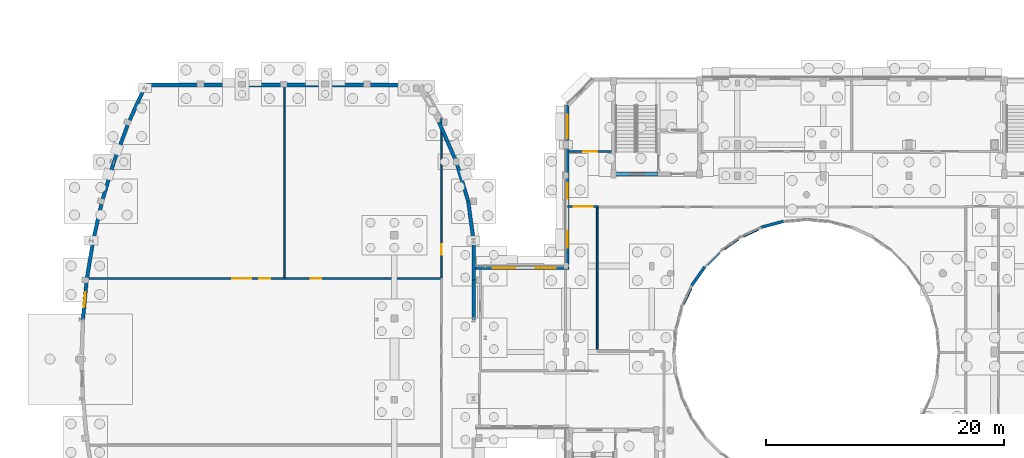
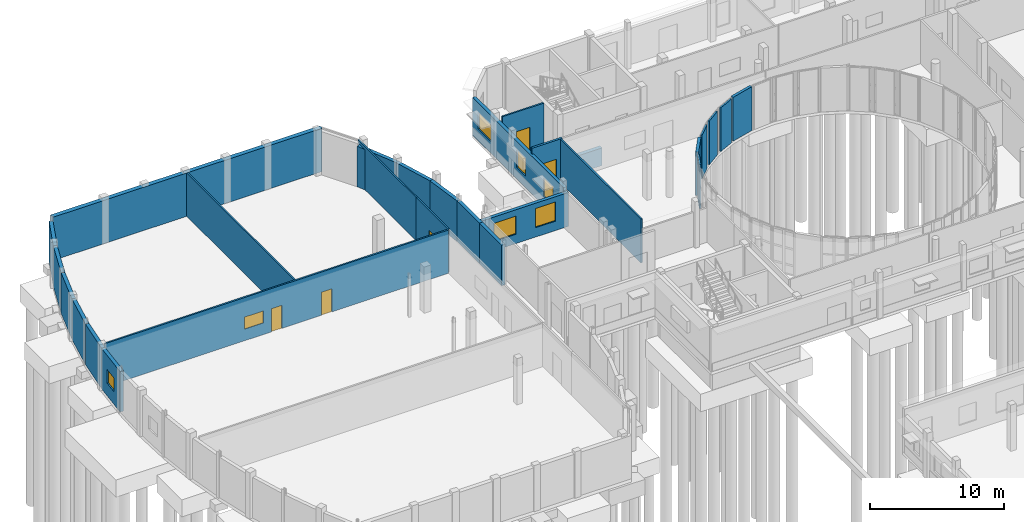
# One storey, part 70 of 93: 28 walls, 7 windows, 5 doors, 12 openings.
"""IFC4 building model written with IfcOpenShell, lengths in metres."""

from ifc_helpers import new_model, si_unit, direction, frame, frame_2d, origin, place, context, subcontext, project, spatial, rectangle, extrude, material, layer, layer_set, type_object, element, fill, save


model = new_model("IFC4")

# Units and contexts
model_context = context("Model", 3, precision=1e-05, world=origin(), true_north=direction((0.0, 1.0)))
body_context = subcontext(model_context, "Body", "Model", "MODEL_VIEW")
ifc_project = project(units=[si_unit("LENGTHUNIT", "METRE"), si_unit("AREAUNIT", "SQUARE_METRE"), si_unit("VOLUMEUNIT", "CUBIC_METRE"), si_unit("PLANEANGLEUNIT", "RADIAN"), si_unit("MASSUNIT", "GRAM", prefix="KILO")], contexts=[model_context])

# Site, building, storey
site_placement = place(None, origin())
site = spatial("IfcSite", under=ifc_project, at=site_placement, CompositionType="ELEMENT")
building_placement = place(site_placement, origin())
building = spatial("IfcBuilding", under=site, at=building_placement, Name="Kelanivale Promenade Academy", CompositionType="ELEMENT")
storey_placement = place(building_placement, origin())
storey = spatial("IfcBuildingStorey", under=building, at=storey_placement, Name="L00", CompositionType="ELEMENT", Elevation=0.0)

# Walls
ifc_material_1 = material(Name="Concrete C40/50", Category="concrete")
ifc_layer_1 = layer(ifc_material_1, 0.330078125)
ifc_layer_set_1 = layer_set([ifc_layer_1], Name="Concrete C40/50")
wall_type_1 = type_object("IfcWallType", Name="CW-S1 Wall 330mm", PredefinedType="SHEAR", material=ifc_layer_set_1)
wall_1_placement = place(storey_placement, frame((47.034912109375, 71.75, -1.85009765625), z_axis=(0.0, 0.0, 1.0), x_axis=(1.0, 0.0, 0.0)))
element("IfcWall", 1, at=wall_1_placement, inside=storey, type_object=wall_type_1, Name="CORE-4 core raft starter wall", PredefinedType="SHEAR", context=body_context, shape_type="SweptSolid", body=[
    extrude(rectangle(XDim=3.864990234375, YDim=0.330078125, at=frame_2d((1.9326171875, 0.0))), origin(), (0.0, 0.0, 1.0), 1.60009765625),
])
ifc_layer_2 = layer(ifc_material_1, 0.360107421875)
ifc_layer_set_2 = layer_set([ifc_layer_2], Name="Concrete C40/50")
wall_type_2 = type_object("IfcWallType", Name="ESW-01 Wall 360mm", PredefinedType="SHEAR", material=ifc_layer_set_2)
wall_2_placement = place(storey_placement, frame((31.14990234375, 79.219970703125, 0.0), z_axis=(0.0, 0.0, 1.0), x_axis=(-1.0, 0.0, 0.0)))
element("IfcWall", 2, at=wall_2_placement, inside=storey, type_object=wall_type_2, Name="Sports Hall Crescent Pavilion gable wall L00", PredefinedType="SHEAR", context=body_context, shape_type="SweptSolid", body=[
    extrude(rectangle(XDim=23.137939453125, YDim=0.360107421875, at=frame_2d((11.56884765625, 0.0))), origin(), (0.0, 0.0, 1.0), 3.93505859375),
])

# Wall, opening, window
ifc_material_2 = material(Name="Insulated terracotta-clad masonry wall 300 mm", Category="masonry")
ifc_layer_3 = layer(ifc_material_2, 0.300048828125)
ifc_layer_set_3 = layer_set([ifc_layer_3], Name="Insulated terracotta-clad masonry wall 300 mm")
wall_type_3 = type_object("IfcWallType", Name="EW-01 Wall 300mm", PredefinedType="SOLIDWALL", material=ifc_layer_set_3)
wall_3_placement = place(storey_placement, frame((2.97412109375, 62.8291015625, 0.0), z_axis=(0.0, 0.0, 1.0), x_axis=(-0.095518246268, -0.995427679256, 0.0)))
wall_3 = element("IfcWall", 3, at=wall_3_placement, inside=storey, type_object=wall_type_3, Name="Sports Hall Crescent Pavilion curved terracotta wall L00", PredefinedType="SOLIDWALL", context=body_context, shape_type="SweptSolid", body=[
    extrude(rectangle(XDim=3.330322265625, YDim=0.300048828125, at=frame_2d((1.6650390625, 0.0))), origin(), (0.0, 0.0, 1.0), 3.679931640625),
])
opening_1_placement = place(wall_3_placement, frame((1.0400390625, 0.0, 1.14990234375)))
opening_1 = element("IfcOpeningElement", 4, at=opening_1_placement, cuts=wall_3, Name="Opening WT-20", PredefinedType="OPENING", context=body_context, shape_type="SweptSolid", body=[
    extrude(rectangle(XDim=1.25, YDim=1.25, at=frame_2d((0.625, 0.625))), frame((0.0, 0.16015625, 0.0), z_axis=(0.0, -1.0, 0.0), x_axis=(1.0, 0.0, 0.0)), (0.0, 0.0, 1.0), 0.320068359375),
])
ifc_material_3 = material(Name="Bronze anodised aluminium frame with low-E laminated glass", Category="aluminium")
window_type_1 = type_object("IfcWindowType", Name="WT-20 Window 1250x1250", PartitioningType="SINGLE_PANEL", PredefinedType="WINDOW", material=ifc_material_3)
window_1_placement = place(opening_1_placement, origin())
window_1 = element("IfcWindow", 5, at=window_1_placement, inside=storey, type_object=window_type_1, Name="Window WT-20", OverallHeight=1.25, OverallWidth=1.25, PartitioningType="SINGLE_PANEL", PredefinedType="WINDOW", context=body_context, shape_type="SweptSolid", body=[
    extrude(rectangle(XDim=1.25, YDim=1.25, at=frame_2d((0.625, 0.625))), frame((0.0, 0.030029296875, 0.0), z_axis=(0.0, -1.0, 0.0), x_axis=(1.0, 0.0, 0.0)), (0.0, 0.0, 1.0), 0.06005859375),
])
fill(opening_1, window_1)

# Walls
wall_4_placement = place(storey_placement, frame((3.509033203125, 66.14306640625, 0.0), z_axis=(0.0, 0.0, 1.0), x_axis=(-0.159349054769, -0.987222304623, 0.0)))
element("IfcWall", 6, at=wall_4_placement, inside=storey, type_object=wall_type_3, Name="Sports Hall Crescent Pavilion curved terracotta wall L00", PredefinedType="SOLIDWALL", context=body_context, shape_type="SweptSolid", body=[
    extrude(rectangle(XDim=3.35693359375, YDim=0.300048828125, at=frame_2d((1.678466796875, 0.0))), origin(), (0.0, 0.0, 1.0), 3.679931640625),
])
wall_5_placement = place(storey_placement, frame((4.26806640625, 69.45703125, 0.0), z_axis=(0.0, 0.0, 1.0), x_axis=(-0.223259599234, -0.974759022195, 0.0)))
element("IfcWall", 7, at=wall_5_placement, inside=storey, type_object=wall_type_3, Name="Sports Hall Crescent Pavilion curved terracotta wall L00", PredefinedType="SOLIDWALL", context=body_context, shape_type="SweptSolid", body=[
    extrude(rectangle(XDim=3.399658203125, YDim=0.300048828125, at=frame_2d((1.69970703125, 0.0))), origin(), (0.0, 0.0, 1.0), 3.679931640625),
])
wall_6_placement = place(storey_placement, frame((5.260986328125, 72.77099609375, 0.0), z_axis=(0.0, 0.0, 1.0), x_axis=(-0.287011200065, -0.957927226379, 0.0)))
element("IfcWall", 8, at=wall_6_placement, inside=storey, type_object=wall_type_3, Name="Sports Hall Crescent Pavilion curved terracotta wall L00", PredefinedType="SOLIDWALL", context=body_context, shape_type="SweptSolid", body=[
    extrude(rectangle(XDim=3.45947265625, YDim=0.300048828125, at=frame_2d((1.729736328125, 0.0))), origin(), (0.0, 0.0, 1.0), 3.679931640625),
])
wall_7_placement = place(storey_placement, frame((6.5029296875, 76.0859375, 0.0), z_axis=(0.0, 0.0, 1.0), x_axis=(-0.350836219137, -0.936436835746, 0.0)))
element("IfcWall", 9, at=wall_7_placement, inside=storey, type_object=wall_type_3, Name="Sports Hall Crescent Pavilion curved terracotta wall L00", PredefinedType="SOLIDWALL", context=body_context, shape_type="SweptSolid", body=[
    extrude(rectangle(XDim=3.5400390625, YDim=0.300048828125, at=frame_2d((1.77001953125, 0.0))), origin(), (0.0, 0.0, 1.0), 3.679931640625),
])
wall_8_placement = place(storey_placement, frame((7.845947265625, 79.035888671875, 0.0), z_axis=(0.0, 0.0, 1.0), x_axis=(-0.414347666712, -0.910118679673, 0.0)))
element("IfcWall", 10, at=wall_8_placement, inside=storey, type_object=wall_type_3, Name="Sports Hall Crescent Pavilion curved terracotta wall L00", PredefinedType="SOLIDWALL", context=body_context, shape_type="SweptSolid", body=[
    extrude(rectangle(XDim=3.2412109375, YDim=0.300048828125, at=frame_2d((1.62060546875, 0.0))), origin(), (0.0, 0.0, 1.0), 3.679931640625),
])
wall_9_placement = place(storey_placement, frame((35.449951171875, 59.513916015625, 0.0), z_axis=(0.0, 0.0, 1.0), x_axis=(0.0, 1.0, 0.0)))
element("IfcWall", 11, at=wall_9_placement, inside=storey, type_object=wall_type_3, Name="Sports Hall Crescent Pavilion inner crescent wall L00", PredefinedType="SOLIDWALL", context=body_context, shape_type="SweptSolid", body=[
    extrude(rectangle(XDim=3.315185546875, YDim=0.300048828125, at=frame_2d((1.65771484375, 0.0))), origin(), (0.0, 0.0, 1.0), 3.679931640625),
])
wall_10_placement = place(storey_placement, frame((35.449951171875, 62.8291015625, 0.0), z_axis=(0.0, 0.0, 1.0), x_axis=(0.0, 1.0, 0.0)))
element("IfcWall", 12, at=wall_10_placement, inside=storey, type_object=wall_type_3, Name="Sports Hall Crescent Pavilion inner crescent wall L00", PredefinedType="SOLIDWALL", context=body_context, shape_type="SweptSolid", body=[
    extrude(rectangle(XDim=3.31396484375, YDim=0.300048828125, at=frame_2d((1.656982421875, 0.0))), origin(), (0.0, 0.0, 1.0), 3.679931640625),
])
wall_11_placement = place(storey_placement, frame((35.449951171875, 66.14306640625, 0.0), z_axis=(0.0, 0.0, 1.0), x_axis=(-0.134539839792, 0.990908185206, 0.0)))
element("IfcWall", 13, at=wall_11_placement, inside=storey, type_object=wall_type_3, Name="Sports Hall Crescent Pavilion inner crescent wall L00", PredefinedType="SOLIDWALL", context=body_context, shape_type="SweptSolid", body=[
    extrude(rectangle(XDim=3.344482421875, YDim=0.300048828125, at=frame_2d((1.67236328125, 0.0))), origin(), (0.0, 0.0, 1.0), 3.679931640625),
])
wall_12_placement = place(storey_placement, frame((35.0, 69.45703125, 0.0), z_axis=(0.0, 0.0, 1.0), x_axis=(-0.288887509039, 0.957363048755, 0.0)))
element("IfcWall", 14, at=wall_12_placement, inside=storey, type_object=wall_type_3, Name="Sports Hall Crescent Pavilion inner crescent wall L00", PredefinedType="SOLIDWALL", context=body_context, shape_type="SweptSolid", body=[
    extrude(rectangle(XDim=3.461669921875, YDim=0.300048828125, at=frame_2d((1.73095703125, 0.0))), origin(), (0.0, 0.0, 1.0), 3.679931640625),
])
wall_13_placement = place(storey_placement, frame((34.0, 72.77099609375, 0.0), z_axis=(0.0, 0.0, 1.0), x_axis=(-0.400740958437, 0.916191401526, 0.0)))
element("IfcWall", 15, at=wall_13_placement, inside=storey, type_object=wall_type_3, Name="Sports Hall Crescent Pavilion inner crescent wall L00", PredefinedType="SOLIDWALL", context=body_context, shape_type="SweptSolid", body=[
    extrude(rectangle(XDim=3.6181640625, YDim=0.300048828125, at=frame_2d((1.80908203125, 0.0))), origin(), (0.0, 0.0, 1.0), 3.679931640625),
])

# Wall, openings, windows
ifc_material_4 = material(Name="Insulated ivory stucco masonry wall 280 mm", Category="masonry")
ifc_layer_4 = layer(ifc_material_4, 0.280029296875)
ifc_layer_set_4 = layer_set([ifc_layer_4], Name="Insulated ivory stucco masonry wall 280 mm")
wall_type_4 = type_object("IfcWallType", Name="EW-02 Wall 280mm", PredefinedType="SOLIDWALL", material=ifc_layer_set_4)
wall_14_placement = place(storey_placement, frame((43.340087890625, 77.5380859375, 0.0), z_axis=(0.0, 0.0, 1.0), x_axis=(0.0, -1.0, 0.0)))
wall_14 = element("IfcWall", 16, at=wall_14_placement, inside=storey, type_object=wall_type_4, Name="L00 exterior facade wall EW-L00-ORT-0315", PredefinedType="SOLIDWALL", context=body_context, shape_type="SweptSolid", body=[
    extrude(rectangle(XDim=13.5380859375, YDim=0.280029296875, at=frame_2d((6.76904296875, 0.0))), origin(), (0.0, 0.0, 1.0), 3.425048828125),
])
opening_2_placement = place(wall_14_placement, frame((0.8310546875, 0.0, 1.050048828125)))
opening_2 = element("IfcOpeningElement", 17, at=opening_2_placement, cuts=wall_14, Name="Opening WT-22", PredefinedType="OPENING", context=body_context, shape_type="SweptSolid", body=[
    extrude(rectangle(XDim=1.949951171875, YDim=1.5, at=frame_2d((0.97509765625, 0.75))), frame((0.0, 0.14990234375, 0.0), z_axis=(0.0, -1.0, 0.0), x_axis=(1.0, 0.0, 0.0)), (0.0, 0.0, 1.0), 0.300048828125),
])
opening_3_placement = place(wall_14_placement, frame((6.569091796875, 0.0, 1.050048828125)))
opening_3 = element("IfcOpeningElement", 18, at=opening_3_placement, cuts=wall_14, Name="Opening WT-23", PredefinedType="OPENING", context=body_context, shape_type="SweptSolid", body=[
    extrude(rectangle(XDim=1.300048828125, YDim=1.60009765625, at=frame_2d((0.64990234375, 0.800048828125))), frame((0.0, 0.14990234375, 0.0), z_axis=(0.0, -1.0, 0.0), x_axis=(1.0, 0.0, 0.0)), (0.0, 0.0, 1.0), 0.300048828125),
])
opening_4_placement = place(wall_14_placement, frame((10.556884765625, 0.0, 0.85009765625)))
opening_4 = element("IfcOpeningElement", 19, at=opening_4_placement, cuts=wall_14, Name="Opening WT-24", PredefinedType="OPENING", context=body_context, shape_type="SweptSolid", body=[
    extrude(rectangle(XDim=1.449951171875, YDim=1.699951171875, at=frame_2d((0.72509765625, 0.85009765625))), frame((0.0, 0.14990234375, 0.0), z_axis=(0.0, -1.0, 0.0), x_axis=(1.0, 0.0, 0.0)), (0.0, 0.0, 1.0), 0.300048828125),
])
window_type_2 = type_object("IfcWindowType", Name="WT-22 Window 1950x1500", PartitioningType="SINGLE_PANEL", PredefinedType="WINDOW", material=ifc_material_3)
window_2_placement = place(opening_2_placement, origin())
window_2 = element("IfcWindow", 20, at=window_2_placement, inside=storey, type_object=window_type_2, Name="Window WT-22", OverallHeight=1.5, OverallWidth=1.949951171875, PartitioningType="SINGLE_PANEL", PredefinedType="WINDOW", context=body_context, shape_type="SweptSolid", body=[
    extrude(rectangle(XDim=1.949951171875, YDim=1.5, at=frame_2d((0.97509765625, 0.75))), frame((0.0, 0.030029296875, 0.0), z_axis=(0.0, -1.0, 0.0), x_axis=(1.0, 0.0, 0.0)), (0.0, 0.0, 1.0), 0.06005859375),
])
fill(opening_2, window_2)
window_type_3 = type_object("IfcWindowType", Name="WT-23 Window 1300x1600", PartitioningType="SINGLE_PANEL", PredefinedType="WINDOW", material=ifc_material_3)
window_3_placement = place(opening_3_placement, origin())
window_3 = element("IfcWindow", 21, at=window_3_placement, inside=storey, type_object=window_type_3, Name="Window WT-23", OverallHeight=1.60009765625, OverallWidth=1.300048828125, PartitioningType="SINGLE_PANEL", PredefinedType="WINDOW", context=body_context, shape_type="SweptSolid", body=[
    extrude(rectangle(XDim=1.300048828125, YDim=1.60009765625, at=frame_2d((0.64990234375, 0.800048828125))), frame((0.0, 0.030029296875, 0.0), z_axis=(0.0, -1.0, 0.0), x_axis=(1.0, 0.0, 0.0)), (0.0, 0.0, 1.0), 0.06005859375),
])
fill(opening_3, window_3)
window_type_4 = type_object("IfcWindowType", Name="WT-24 Window 1450x1700", PartitioningType="SINGLE_PANEL", PredefinedType="WINDOW", material=ifc_material_3)
window_4_placement = place(opening_4_placement, origin())
window_4 = element("IfcWindow", 22, at=window_4_placement, inside=storey, type_object=window_type_4, Name="Window WT-24", OverallHeight=1.699951171875, OverallWidth=1.449951171875, PartitioningType="SINGLE_PANEL", PredefinedType="WINDOW", context=body_context, shape_type="SweptSolid", body=[
    extrude(rectangle(XDim=1.449951171875, YDim=1.699951171875, at=frame_2d((0.72509765625, 0.85009765625))), frame((0.0, 0.030029296875, 0.0), z_axis=(0.0, -1.0, 0.0), x_axis=(1.0, 0.0, 0.0)), (0.0, 0.0, 1.0), 0.06005859375),
])
fill(opening_4, window_4)

wall_15_placement = place(storey_placement, frame((43.47998046875, 63.860107421875, 0.0), z_axis=(0.0, 0.0, 1.0), x_axis=(-1.0, 0.0, 0.0)))
wall_15 = element("IfcWall", 23, at=wall_15_placement, inside=storey, type_object=wall_type_4, Name="L00 exterior facade wall EW-L00-ORT-0316", PredefinedType="SOLIDWALL", context=body_context, shape_type="SweptSolid", body=[
    extrude(rectangle(XDim=7.8798828125, YDim=0.280029296875, at=frame_2d((3.93994140625, 0.0))), origin(), (0.0, 0.0, 1.0), 3.074951171875),
])
opening_5_placement = place(wall_15_placement, frame((1.1201171875, 0.0, 0.85009765625)))
opening_5 = element("IfcOpeningElement", 24, at=opening_5_placement, cuts=wall_15, Name="Opening WT-25", PredefinedType="OPENING", context=body_context, shape_type="SweptSolid", body=[
    extrude(rectangle(XDim=1.699951171875, YDim=1.75, at=frame_2d((0.85009765625, 0.875))), frame((0.0, 0.14990234375, 0.0), z_axis=(0.0, -1.0, 0.0), x_axis=(1.0, 0.0, 0.0)), (0.0, 0.0, 1.0), 0.300048828125),
])
opening_6_placement = place(wall_15_placement, frame((4.510009765625, 0.0, 0.85009765625)))
opening_6 = element("IfcOpeningElement", 25, at=opening_6_placement, cuts=wall_15, Name="Opening WT-26", PredefinedType="OPENING", context=body_context, shape_type="SweptSolid", body=[
    extrude(rectangle(XDim=1.89990234375, YDim=1.64990234375, at=frame_2d((0.949951171875, 0.824951171875))), frame((0.0, 0.14990234375, 0.0), z_axis=(0.0, -1.0, 0.0), x_axis=(1.0, 0.0, 0.0)), (0.0, 0.0, 1.0), 0.300048828125),
])
window_type_5 = type_object("IfcWindowType", Name="WT-25 Window 1700x1750", PartitioningType="SINGLE_PANEL", PredefinedType="WINDOW", material=ifc_material_3)
window_5_placement = place(opening_5_placement, origin())
window_5 = element("IfcWindow", 26, at=window_5_placement, inside=storey, type_object=window_type_5, Name="Window WT-25", OverallHeight=1.75, OverallWidth=1.699951171875, PartitioningType="SINGLE_PANEL", PredefinedType="WINDOW", context=body_context, shape_type="SweptSolid", body=[
    extrude(rectangle(XDim=1.699951171875, YDim=1.75, at=frame_2d((0.85009765625, 0.875))), frame((0.0, 0.030029296875, 0.0), z_axis=(0.0, -1.0, 0.0), x_axis=(1.0, 0.0, 0.0)), (0.0, 0.0, 1.0), 0.06005859375),
])
fill(opening_5, window_5)
window_type_6 = type_object("IfcWindowType", Name="WT-26 Window 1900x1650", PartitioningType="SINGLE_PANEL", PredefinedType="WINDOW", material=ifc_material_3)
window_6_placement = place(opening_6_placement, origin())
window_6 = element("IfcWindow", 27, at=window_6_placement, inside=storey, type_object=window_type_6, Name="Window WT-26", OverallHeight=1.64990234375, OverallWidth=1.89990234375, PartitioningType="SINGLE_PANEL", PredefinedType="WINDOW", context=body_context, shape_type="SweptSolid", body=[
    extrude(rectangle(XDim=1.89990234375, YDim=1.64990234375, at=frame_2d((0.949951171875, 0.824951171875))), frame((0.0, 0.030029296875, 0.0), z_axis=(0.0, -1.0, 0.0), x_axis=(1.0, 0.0, 0.0)), (0.0, 0.0, 1.0), 0.06005859375),
])
fill(opening_6, window_6)

# Walls
ifc_material_5 = material(Name="Insulated courtyard stucco masonry wall 240 mm", Category="masonry")
ifc_layer_5 = layer(ifc_material_5, 0.239990234375)
ifc_layer_set_5 = layer_set([ifc_layer_5], Name="Insulated courtyard stucco masonry wall 240 mm")
wall_type_5 = type_object("IfcWallType", Name="EW-04 Wall 240mm", PredefinedType="SOLIDWALL", material=ifc_layer_set_5)
wall_16_placement = place(storey_placement, frame((61.47802734375, 67.77392578125, 0.0), z_axis=(0.0, 0.0, 1.0), x_axis=(-0.966094701167, -0.258187971017, 0.0)))
element("IfcWall", 28, at=wall_16_placement, inside=storey, type_object=wall_type_5, Name="L00 round courtyard stucco wall", PredefinedType="SOLIDWALL", context=body_context, shape_type="SweptSolid", body=[
    extrude(rectangle(XDim=1.966796875, YDim=0.239990234375, at=frame_2d((0.9833984375, 0.0))), origin(), (0.0, 0.0, 1.0), 3.97998046875),
])
wall_17_placement = place(storey_placement, frame((54.873046875, 63.970947265625, 0.0), z_axis=(0.0, 0.0, 1.0), x_axis=(-0.573578990775, -0.819150255656, 0.0)))
element("IfcWall", 29, at=wall_17_placement, inside=storey, type_object=wall_type_5, Name="L00 round courtyard stucco wall", PredefinedType="SOLIDWALL", context=body_context, shape_type="SweptSolid", body=[
    extrude(rectangle(XDim=1.966552734375, YDim=0.239990234375, at=frame_2d((0.9833984375, 0.0))), origin(), (0.0, 0.0, 1.0), 3.97998046875),
])

# Wall, opening, door
ifc_material_6 = material(Name="Autoclaved masonry blockwork 180 mm", Category="masonry")
ifc_layer_6 = layer(ifc_material_6, 0.179931640625)
ifc_layer_set_6 = layer_set([ifc_layer_6], Name="Autoclaved masonry blockwork 180 mm")
wall_type_6 = type_object("IfcWallType", Name="IW-02 Wall 180mm", PredefinedType="PARTITIONING", material=ifc_layer_set_6)
wall_18_placement = place(storey_placement, frame((43.341064453125, 69.0, 0.0), z_axis=(0.0, 0.0, 1.0), x_axis=(1.0, 0.0, 0.0)))
wall_18 = element("IfcWall", 30, at=wall_18_placement, inside=storey, type_object=wall_type_6, Name="L00 cross-corridor fire wall", PredefinedType="PARTITIONING", context=body_context, shape_type="SweptSolid", body=[
    extrude(rectangle(XDim=2.60888671875, YDim=0.179931640625, at=frame_2d((1.304443359375, 0.0))), origin(), (0.0, 0.0, 1.0), 3.97998046875),
])
opening_7_placement = place(wall_18_placement, frame((0.5048828125, 0.0, 0.0)))
opening_7 = element("IfcOpeningElement", 31, at=opening_7_placement, cuts=wall_18, Name="Opening FD-L00-CC-006", PredefinedType="OPENING", context=body_context, shape_type="SweptSolid", body=[
    extrude(rectangle(XDim=1.60009765625, YDim=2.25, at=frame_2d((0.800048828125, 1.125))), frame((0.0, 0.10009765625, 0.0), z_axis=(0.0, -1.0, 0.0), x_axis=(1.0, 0.0, 0.0)), (0.0, 0.0, 1.0), 0.199951171875),
])
ifc_material_7 = material(Name="Fire-rated steel-core teak veneer", Category="steel")
door_type_1 = type_object("IfcDoorType", Name="DT-F09 Door 1600x2250", OperationType="NOTDEFINED", PredefinedType="DOOR", material=ifc_material_7)
door_1_placement = place(opening_7_placement, origin())
door_1 = element("IfcDoor", 32, at=door_1_placement, inside=storey, type_object=door_type_1, Name="L00 cross-corridor fire door FD-L00-CC-006", OperationType="DOUBLE_DOOR_SINGLE_SWING", OverallHeight=2.25, OverallWidth=1.60009765625, PredefinedType="DOOR", context=body_context, shape_type="SweptSolid", body=[
    extrude(rectangle(XDim=1.60009765625, YDim=2.25, at=frame_2d((0.800048828125, 1.125))), frame((0.0, 0.02490234375, 0.0), z_axis=(0.0, -1.0, 0.0), x_axis=(1.0, 0.0, 0.0)), (0.0, 0.0, 1.0), 0.050048828125),
])
fill(opening_7, door_1)

# Wall, openings, doors, window
ifc_material_8 = material(Name="Acoustic double-stud gypsum board partition 140 mm", Category="masonry")
ifc_layer_7 = layer(ifc_material_8, 0.139892578125)
ifc_layer_set_7 = layer_set([ifc_layer_7], Name="Acoustic double-stud gypsum board partition 140 mm")
wall_type_7 = type_object("IfcWallType", Name="IW-04 Wall 140mm", PredefinedType="PARTITIONING", material=ifc_layer_set_7)
wall_19_placement = place(storey_placement, frame((32.701904296875, 62.969970703125, 0.0), z_axis=(0.0, 0.0, 1.0), x_axis=(-1.0, 0.0, 0.0)))
wall_19 = element("IfcWall", 33, at=wall_19_placement, inside=storey, type_object=wall_type_7, Name="L00 partition PE Fitness Studio", PredefinedType="PARTITIONING", context=body_context, shape_type="SweptSolid", body=[
    extrude(rectangle(XDim=29.554931640625, YDim=0.139892578125, at=frame_2d((14.77734375, 0.0))), origin(), (0.0, 0.0, 1.0), 3.929931640625),
])
opening_8_placement = place(wall_19_placement, frame((14.327880859375, 0.0, 0.0)))
opening_8 = element("IfcOpeningElement", 34, at=opening_8_placement, cuts=wall_19, Name="Opening ID-L00-013", PredefinedType="OPENING", context=body_context, shape_type="SweptSolid", body=[
    extrude(rectangle(XDim=0.89990234375, YDim=2.10009765625, at=frame_2d((0.449951171875, 1.050048828125))), frame((0.0, 0.080078125, 0.0), z_axis=(0.0, -1.0, 0.0), x_axis=(1.0, 0.0, 0.0)), (0.0, 0.0, 1.0), 0.159912109375),
])
opening_9_placement = place(wall_19_placement, frame((10.029052734375, 0.0, 0.0)))
opening_9 = element("IfcOpeningElement", 35, at=opening_9_placement, cuts=wall_19, Name="Opening ID-L00-014", PredefinedType="OPENING", context=body_context, shape_type="SweptSolid", body=[
    extrude(rectangle(XDim=0.89990234375, YDim=2.10009765625, at=frame_2d((0.449951171875, 1.050048828125))), frame((0.0, 0.080078125, 0.0), z_axis=(0.0, -1.0, 0.0), x_axis=(1.0, 0.0, 0.0)), (0.0, 0.0, 1.0), 0.159912109375),
])
opening_10_placement = place(wall_19_placement, frame((15.927978515625, 0.0, 1.050048828125)))
opening_10 = element("IfcOpeningElement", 36, at=opening_10_placement, cuts=wall_19, Name="Opening WT-I01", PredefinedType="OPENING", context=body_context, shape_type="SweptSolid", body=[
    extrude(rectangle(XDim=1.60009765625, YDim=1.10009765625, at=frame_2d((0.800048828125, 0.550048828125))), frame((0.0, 0.080078125, 0.0), z_axis=(0.0, -1.0, 0.0), x_axis=(1.0, 0.0, 0.0)), (0.0, 0.0, 1.0), 0.159912109375),
])
ifc_material_9 = material(Name="Solid-core tropical teak timber", Category="wood")
door_type_2 = type_object("IfcDoorType", Name="DT-I06 Door 900x2100", OperationType="NOTDEFINED", PredefinedType="DOOR", material=ifc_material_9)
door_2_placement = place(opening_8_placement, frame((0.89990234375, 0.0, 0.0), z_axis=(0.0, 0.0, 1.0), x_axis=(-1.0, 0.0, 0.0)))
door_2 = element("IfcDoor", 37, at=door_2_placement, inside=storey, type_object=door_type_2, Name="Boys Sports Changing Room door ID-L00-013", OperationType="SINGLE_SWING_LEFT", OverallHeight=2.10009765625, OverallWidth=0.89990234375, PredefinedType="DOOR", context=body_context, shape_type="SweptSolid", body=[
    extrude(rectangle(XDim=0.89990234375, YDim=2.10009765625, at=frame_2d((0.449951171875, 1.050048828125))), frame((0.0, 0.02490234375, 0.0), z_axis=(0.0, -1.0, 0.0), x_axis=(1.0, 0.0, 0.0)), (0.0, 0.0, 1.0), 0.050048828125),
])
fill(opening_8, door_2)
door_3_placement = place(opening_9_placement, frame((0.89990234375, 0.0, 0.0), z_axis=(0.0, 0.0, 1.0), x_axis=(-1.0, 0.0, 0.0)))
door_3 = element("IfcDoor", 38, at=door_3_placement, inside=storey, type_object=door_type_2, Name="Boys Sports Changing Room secondary door ID-L00-014", OperationType="SINGLE_SWING_LEFT", OverallHeight=2.10009765625, OverallWidth=0.89990234375, PredefinedType="DOOR", context=body_context, shape_type="SweptSolid", body=[
    extrude(rectangle(XDim=0.89990234375, YDim=2.10009765625, at=frame_2d((0.449951171875, 1.050048828125))), frame((0.0, 0.02490234375, 0.0), z_axis=(0.0, -1.0, 0.0), x_axis=(1.0, 0.0, 0.0)), (0.0, 0.0, 1.0), 0.050048828125),
])
fill(opening_9, door_3)
window_type_7 = type_object("IfcWindowType", Name="WT-I01 Window 1600x1100", PartitioningType="SINGLE_PANEL", PredefinedType="WINDOW", material=ifc_material_3)
window_7_placement = place(opening_10_placement, origin())
window_7 = element("IfcWindow", 39, at=window_7_placement, inside=storey, type_object=window_type_7, Name="Interior observation window WT-I01", OverallHeight=1.10009765625, OverallWidth=1.60009765625, PartitioningType="SINGLE_PANEL", PredefinedType="WINDOW", context=body_context, shape_type="SweptSolid", body=[
    extrude(rectangle(XDim=1.60009765625, YDim=1.10009765625, at=frame_2d((0.800048828125, 0.550048828125))), frame((0.0, 0.030029296875, 0.0), z_axis=(0.0, -1.0, 0.0), x_axis=(1.0, 0.0, 0.0)), (0.0, 0.0, 1.0), 0.06005859375),
])
fill(opening_10, window_7)

# Walls
wall_20_placement = place(storey_placement, frame((53.10595703125, 60.821044921875, 0.0), z_axis=(0.0, 0.0, 1.0), x_axis=(0.423348930736, 0.905966711775, 0.0)))
element("IfcWall", 40, at=wall_20_placement, inside=storey, type_object=wall_type_7, Name="L00 partition Junior Classroom West B", PredefinedType="PARTITIONING", context=body_context, shape_type="SweptSolid", body=[
    extrude(rectangle(XDim=1.412841796875, YDim=0.139892578125, at=frame_2d((0.70654296875, 0.0))), origin(), (0.0, 0.0, 1.0), 3.97509765625),
])
wall_21_placement = place(storey_placement, frame((55.10302734375, 64.09912109375, 0.0), z_axis=(0.0, 0.0, 1.0), x_axis=(0.707193272138, 0.707020279655, 0.0)))
element("IfcWall", 41, at=wall_21_placement, inside=storey, type_object=wall_type_7, Name="L00 partition Junior Classroom West B", PredefinedType="PARTITIONING", context=body_context, shape_type="SweptSolid", body=[
    extrude(rectangle(XDim=1.411376953125, YDim=0.139892578125, at=frame_2d((0.70556640625, 0.0))), origin(), (0.0, 0.0, 1.0), 3.97509765625),
])
wall_22_placement = place(storey_placement, frame((56.4951171875, 65.427978515625, 0.0), z_axis=(0.0, 0.0, 1.0), x_axis=(0.819077743108, 0.57368253481, 0.0)))
element("IfcWall", 42, at=wall_22_placement, inside=storey, type_object=wall_type_7, Name="L00 partition Junior Classroom West B", PredefinedType="PARTITIONING", context=body_context, shape_type="SweptSolid", body=[
    extrude(rectangle(XDim=1.413818359375, YDim=0.139892578125, at=frame_2d((0.70703125, 0.0))), origin(), (0.0, 0.0, 1.0), 3.97509765625),
])
wall_23_placement = place(storey_placement, frame((58.09912109375, 66.49609375, 0.0), z_axis=(0.0, 0.0, 1.0), x_axis=(0.906002021568, 0.423273359561, 0.0)))
element("IfcWall", 43, at=wall_23_placement, inside=storey, type_object=wall_type_7, Name="L00 partition Junior Classroom West B", PredefinedType="PARTITIONING", context=body_context, shape_type="SweptSolid", body=[
    extrude(rectangle(XDim=1.41259765625, YDim=0.139892578125, at=frame_2d((0.706298828125, 0.0))), origin(), (0.0, 0.0, 1.0), 3.97509765625),
])
wall_24_placement = place(storey_placement, frame((45.830078125, 68.902099609375, 0.0), z_axis=(0.0, 0.0, 1.0), x_axis=(0.0, -1.0, 0.0)))
element("IfcWall", 44, at=wall_24_placement, inside=storey, type_object=wall_type_7, Name="L00 partition Junior Classroom West B", PredefinedType="PARTITIONING", context=body_context, shape_type="SweptSolid", body=[
    extrude(rectangle(XDim=12.004150390625, YDim=0.139892578125, at=frame_2d((6.001953125, 0.0))), origin(), (0.0, 0.0, 1.0), 3.97509765625),
])

# Wall, opening, door
wall_25_placement = place(storey_placement, frame((43.47802734375, 73.6298828125, 0.0), z_axis=(0.0, 0.0, 1.0), x_axis=(1.0, 0.0, 0.0)))
wall_25 = element("IfcWall", 45, at=wall_25_placement, inside=storey, type_object=wall_type_7, Name="L00 partition Pastoral Seminar Room", PredefinedType="PARTITIONING", context=body_context, shape_type="SweptSolid", body=[
    extrude(rectangle(XDim=3.55908203125, YDim=0.139892578125, at=frame_2d((1.779541015625, 0.0))), origin(), (0.0, 0.0, 1.0), 3.97509765625),
])
opening_11_placement = place(wall_25_placement, frame((1.18896484375, 0.0, 0.0)))
opening_11 = element("IfcOpeningElement", 46, at=opening_11_placement, cuts=wall_25, Name="Opening ID-L00-050", PredefinedType="OPENING", context=body_context, shape_type="SweptSolid", body=[
    extrude(rectangle(XDim=1.179931640625, YDim=2.199951171875, at=frame_2d((0.58984375, 1.10009765625))), frame((0.0, 0.080078125, 0.0), z_axis=(0.0, -1.0, 0.0), x_axis=(1.0, 0.0, 0.0)), (0.0, 0.0, 1.0), 0.159912109375),
])
door_type_3 = type_object("IfcDoorType", Name="DT-I18 Door 1180x2200", OperationType="NOTDEFINED", PredefinedType="DOOR", material=ifc_material_9)
door_4_placement = place(opening_11_placement, origin())
door_4 = element("IfcDoor", 47, at=door_4_placement, inside=storey, type_object=door_type_3, Name="Pastoral Seminar Room door ID-L00-050", OperationType="SINGLE_SWING_LEFT", OverallHeight=2.199951171875, OverallWidth=1.179931640625, PredefinedType="DOOR", context=body_context, shape_type="SweptSolid", body=[
    extrude(rectangle(XDim=1.179931640625, YDim=2.199951171875, at=frame_2d((0.58984375, 1.10009765625))), frame((0.0, 0.02490234375, 0.0), z_axis=(0.0, -1.0, 0.0), x_axis=(1.0, 0.0, 0.0)), (0.0, 0.0, 1.0), 0.050048828125),
])
fill(opening_11, door_4)

# Wall
ifc_material_10 = material(Name="Moisture-resistant masonry wet-room partition 125 mm", Category="masonry")
ifc_layer_8 = layer(ifc_material_10, 0.125)
ifc_layer_set_8 = layer_set([ifc_layer_8], Name="Moisture-resistant masonry wet-room partition 125 mm")
wall_type_8 = type_object("IfcWallType", Name="IW-05 Wall 125mm", PredefinedType="PARTITIONING", material=ifc_layer_set_8)
wall_26_placement = place(storey_placement, frame((19.570068359375, 63.0380859375, 0.0), z_axis=(0.0, 0.0, 1.0), x_axis=(0.0, 1.0, 0.0)))
element("IfcWall", 48, at=wall_26_placement, inside=storey, type_object=wall_type_8, Name="L00 partition Boys Sports Changing Room", PredefinedType="PARTITIONING", context=body_context, shape_type="SweptSolid", body=[
    extrude(rectangle(XDim=16.0439453125, YDim=0.125, at=frame_2d((8.02197265625, 0.0))), origin(), (0.0, 0.0, 1.0), 3.929931640625),
])

# Wall, opening, door
wall_27_placement = place(storey_placement, frame((32.77001953125, 63.030029296875, 0.0), z_axis=(0.0, 0.0, 1.0), x_axis=(0.0, 1.0, 0.0)))
wall_27 = element("IfcWall", 49, at=wall_27_placement, inside=storey, type_object=wall_type_8, Name="L00 partition Girls Sports Changing Room", PredefinedType="PARTITIONING", context=body_context, shape_type="SweptSolid", body=[
    extrude(rectangle(XDim=4.739990234375, YDim=0.125, at=frame_2d((2.3701171875, 0.0))), origin(), (0.0, 0.0, 1.0), 3.929931640625),
])
opening_12_placement = place(wall_27_placement, frame((1.919921875, 0.0, 0.0)))
opening_12 = element("IfcOpeningElement", 50, at=opening_12_placement, cuts=wall_27, Name="Opening ID-L00-015", PredefinedType="OPENING", context=body_context, shape_type="SweptSolid", body=[
    extrude(rectangle(XDim=0.89990234375, YDim=2.10009765625, at=frame_2d((0.449951171875, 1.050048828125))), frame((0.0, 0.072509765625, 0.0), z_axis=(0.0, -1.0, 0.0), x_axis=(1.0, 0.0, 0.0)), (0.0, 0.0, 1.0), 0.14501953125),
])
door_5_placement = place(opening_12_placement, origin())
door_5 = element("IfcDoor", 51, at=door_5_placement, inside=storey, type_object=door_type_2, Name="Girls Sports Changing Room door ID-L00-015", OperationType="SINGLE_SWING_RIGHT", OverallHeight=2.10009765625, OverallWidth=0.89990234375, PredefinedType="DOOR", context=body_context, shape_type="SweptSolid", body=[
    extrude(rectangle(XDim=0.89990234375, YDim=2.10009765625, at=frame_2d((0.449951171875, 1.050048828125))), frame((0.0, 0.02490234375, 0.0), z_axis=(0.0, -1.0, 0.0), x_axis=(1.0, 0.0, 0.0)), (0.0, 0.0, 1.0), 0.050048828125),
])
fill(opening_12, door_5)

# Wall
wall_28_placement = place(storey_placement, frame((32.77001953125, 67.77001953125, 0.0), z_axis=(0.0, 0.0, 1.0), x_axis=(0.0, 1.0, 0.0)))
element("IfcWall", 52, at=wall_28_placement, inside=storey, type_object=wall_type_8, Name="L00 partition Girls Sports Changing Room", PredefinedType="PARTITIONING", context=body_context, shape_type="SweptSolid", body=[
    extrude(rectangle(XDim=8.6640625, YDim=0.125, at=frame_2d((4.33203125, 0.0))), origin(), (0.0, 0.0, 1.0), 3.929931640625),
])

save(model, "model.ifc")
